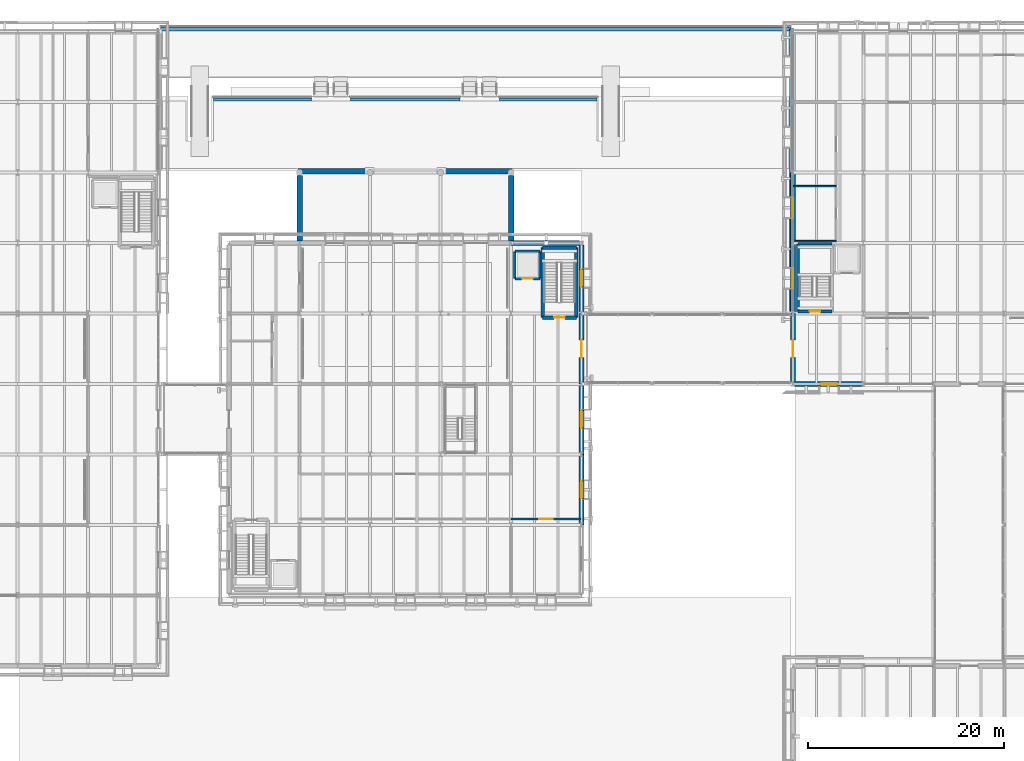
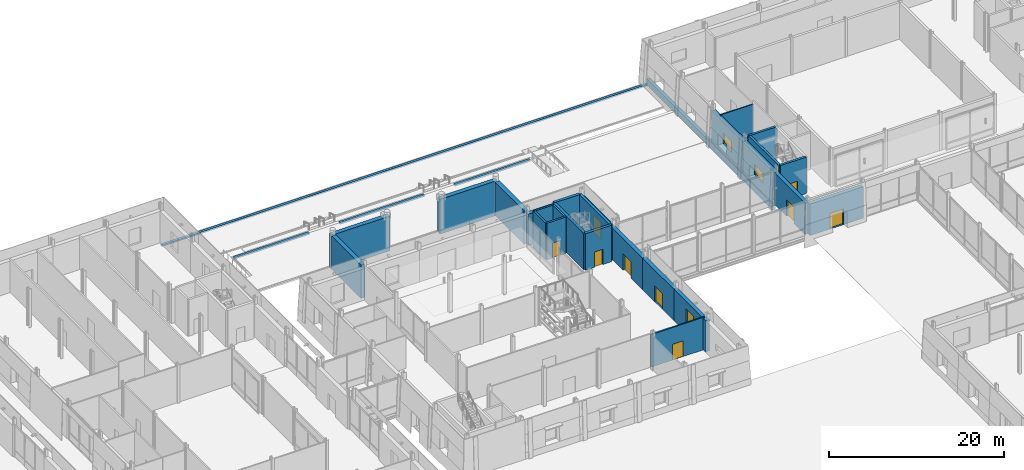
# One storey, part 77 of 120: 32 walls, 8 doors, 4 windows, 12 openings.
"""IFC4 building model written with IfcOpenShell, lengths in metres."""

from ifc_helpers import new_model, si_unit, direction, frame, frame_2d, origin, place, context, subcontext, project, spatial, rectangle, extrude, material, layer, layer_set, type_object, element, fill, save


model = new_model("IFC4")

# Units and contexts
model_context = context("Model", 3, precision=1e-05, world=origin(), true_north=direction((0.0, 1.0)))
body_context = subcontext(model_context, "Body", "Model", "MODEL_VIEW")
ifc_project = project(units=[si_unit("LENGTHUNIT", "METRE"), si_unit("AREAUNIT", "SQUARE_METRE"), si_unit("VOLUMEUNIT", "CUBIC_METRE"), si_unit("PLANEANGLEUNIT", "RADIAN"), si_unit("MASSUNIT", "GRAM", prefix="KILO")], contexts=[model_context])

# Site, building, storey
site_placement = place(None, origin())
site = spatial("IfcSite", under=ifc_project, at=site_placement, CompositionType="ELEMENT")
building_placement = place(site_placement, origin())
building = spatial("IfcBuilding", under=site, at=building_placement, Name="Narikvali Park Central Library", CompositionType="ELEMENT")
storey_placement = place(building_placement, origin())
storey = spatial("IfcBuildingStorey", under=building, at=storey_placement, Name="L00", CompositionType="ELEMENT", Elevation=0.0)

# Walls
ifc_material_1 = material(Name="White Rusticated Limestone over Concrete C35/45", Category="masonry")
ifc_layer_1 = layer(ifc_material_1, 0.340087890625, Name="White Rusticated Limestone over Concrete C35/45")
ifc_layer_set_1 = layer_set([ifc_layer_1], Name="White Rusticated Limestone over Concrete C35/45")
wall_type_1 = type_object("IfcWallType", Name="Forecourt Stepped Stone Plinth Wall 340", PredefinedType="SOLIDWALL", material=ifc_layer_set_1)
wall_1_placement = place(storey_placement, frame((57.800048828125, 115.449951171875, -0.905029296875), z_axis=(0.0, 0.0, 1.0), x_axis=(1.0, 0.0, 0.0)))
element("IfcWall", 1, at=wall_1_placement, inside=storey, type_object=wall_type_1, Name="Forecourt Stone Plinth Wall FC-PLINTH-N", PredefinedType="SOLIDWALL", context=body_context, shape_type="SweptSolid", body=[
    extrude(rectangle(XDim=64.39990234375, YDim=0.340087890625, at=frame_2d((32.199951171875, 0.0))), origin(), (0.0, 0.0, 1.0), 0.22509765625),
])
wall_2_placement = place(storey_placement, frame((63.199951171875, 108.25, -0.219970703125), z_axis=(0.0, 0.0, 1.0), x_axis=(1.0, 0.0, 0.0)))
element("IfcWall", 2, at=wall_2_placement, inside=storey, type_object=wall_type_1, Name="Forecourt Stone Plinth Wall FC-PLINTH-S1", PredefinedType="SOLIDWALL", context=body_context, shape_type="SweptSolid", body=[
    extrude(rectangle(XDim=10.0, YDim=0.340087890625, at=frame_2d((5.0, 0.0))), origin(), (0.0, 0.0, 1.0), 0.219970703125),
])
wall_3_placement = place(storey_placement, frame((77.199951171875, 108.25, -0.219970703125), z_axis=(0.0, 0.0, 1.0), x_axis=(1.0, 0.0, 0.0)))
element("IfcWall", 3, at=wall_3_placement, inside=storey, type_object=wall_type_1, Name="Forecourt Stone Plinth Wall FC-PLINTH-S2", PredefinedType="SOLIDWALL", context=body_context, shape_type="SweptSolid", body=[
    extrude(rectangle(XDim=11.199951171875, YDim=0.340087890625, at=frame_2d((5.60009765625, 0.0))), origin(), (0.0, 0.0, 1.0), 0.219970703125),
])
wall_4_placement = place(storey_placement, frame((92.39990234375, 108.25, -0.219970703125), z_axis=(0.0, 0.0, 1.0), x_axis=(1.0, 0.0, 0.0)))
element("IfcWall", 4, at=wall_4_placement, inside=storey, type_object=wall_type_1, Name="Forecourt Stone Plinth Wall FC-PLINTH-S3", PredefinedType="SOLIDWALL", context=body_context, shape_type="SweptSolid", body=[
    extrude(rectangle(XDim=10.0, YDim=0.340087890625, at=frame_2d((5.0, 0.0))), origin(), (0.0, 0.0, 1.0), 0.219970703125),
])
wall_5_placement = place(storey_placement, frame((122.199951171875, 86.60009765625, -0.905029296875), z_axis=(0.0, 0.0, 1.0), x_axis=(0.0, 1.0, 0.0)))
element("IfcWall", 5, at=wall_5_placement, inside=storey, type_object=wall_type_1, Name="Forecourt Stone Plinth Wall FC-PLINTH-E", PredefinedType="SOLIDWALL", context=body_context, shape_type="SweptSolid", body=[
    extrude(rectangle(XDim=28.849853515625, YDim=0.340087890625, at=frame_2d((14.4248046875, 0.0))), origin(), (0.0, 0.0, 1.0), 0.905029296875),
])
ifc_material_2 = material(Name="Kiln-Fired Terracotta Red Brick Masonry", Category="masonry")
ifc_layer_2 = layer(ifc_material_2, 0.56005859375, Name="Kiln-Fired Terracotta Red Brick Masonry")
ifc_layer_set_2 = layer_set([ifc_layer_2], Name="Kiln-Fired Terracotta Red Brick Masonry")
wall_type_2 = type_object("IfcWallType", Name="Kiln-Fired Red Brick Entrance Arch Wall 560", PredefinedType="SOLIDWALL", material=ifc_layer_set_2)
for number, where, z_axis, x_axis, name in (
    (6, (72.0, 93.820068359375, 0.0), (0.0, 0.0, 1.0), (0.0, 1.0, 0.0), "Entrance Portal West Red Brick Side Wall L00"),
    (7, (93.60009765625, 93.820068359375, 0.0), (0.0, 0.0, 1.0), (0.0, 1.0, 0.0), "Entrance Portal East Red Brick Side Wall L00"),
):
    element("IfcWall", number, at=place(storey_placement, frame(where, z_axis=z_axis, x_axis=x_axis)), inside=storey, type_object=wall_type_2, Name=name, PredefinedType="SOLIDWALL", context=body_context, shape_type="SweptSolid", body=[
        extrude(rectangle(XDim=6.699951171875, YDim=0.56005859375, at=frame_2d((3.35009765625, 0.0))), origin(), (0.0, 0.0, 1.0), 4.64990234375),
    ])
for number, where, z_axis, x_axis, name in (
    (8, (71.85009765625, 100.93994140625, -0.199951171875), (0.0, 0.0, 1.0), (1.0, 0.0, 0.0), "Entrance Portal W Lower Red Brick Pylon"),
    (9, (86.1201171875, 100.93994140625, -0.199951171875), (0.0, 0.0, 1.0), (1.0, 0.0, 0.0), "Entrance Portal E Lower Red Brick Pylon"),
):
    element("IfcWall", number, at=place(storey_placement, frame(where, z_axis=z_axis, x_axis=x_axis)), inside=storey, type_object=wall_type_2, Name=name, PredefinedType="SOLIDWALL", context=body_context, shape_type="SweptSolid", body=[
        extrude(rectangle(XDim=7.6298828125, YDim=0.56005859375, at=frame_2d((3.81494140625, 0.0))), origin(), (0.0, 0.0, 1.0), 4.849853515625),
    ])
ifc_material_3 = material(Name="Moisture-Resistant Cement Board on Steel Studs", Category="steel")
ifc_layer_3 = layer(ifc_material_3, 0.14990234375, Name="Moisture-Resistant Cement Board on Steel Studs")
ifc_layer_set_3 = layer_set([ifc_layer_3], Name="Moisture-Resistant Cement Board on Steel Studs")
wall_type_3 = type_object("IfcWallType", Name="Moisture-Resistant WC Partition 150", PredefinedType="PARTITIONING", material=ifc_layer_set_3)
wall_6_placement = place(storey_placement, frame((122.553955078125, 93.800048828125, 0.0), z_axis=(0.0, 0.0, 1.0), x_axis=(1.0, 0.0, 0.0)))
element("IfcWall", 10, at=wall_6_placement, inside=storey, type_object=wall_type_3, Name="Cloister Foyer Restrooms and Accessible WC L00 Partition S", PredefinedType="PARTITIONING", context=body_context, shape_type="SweptSolid", body=[
    extrude(rectangle(XDim=4.24609375, YDim=0.14990234375, at=frame_2d((2.123046875, 0.0))), origin(), (0.0, 0.0, 1.0), 4.614990234375),
])
wall_7_placement = place(storey_placement, frame((122.455078125, 99.39990234375, 0.0), z_axis=(0.0, 0.0, 1.0), x_axis=(1.0, 0.0, 0.0)))
element("IfcWall", 11, at=wall_7_placement, inside=storey, type_object=wall_type_3, Name="Cloister Foyer Restrooms and Accessible WC L00 Partition N", PredefinedType="PARTITIONING", context=body_context, shape_type="SweptSolid", body=[
    extrude(rectangle(XDim=4.344970703125, YDim=0.14990234375, at=frame_2d((2.17236328125, 0.0))), origin(), (0.0, 0.0, 1.0), 4.554931640625),
])

# Wall, opening, door
ifc_material_4 = material(Name="Acoustic Gypsum on Steel Studs", Category="steel")
ifc_layer_4 = layer(ifc_material_4, 0.179931640625, Name="Acoustic Gypsum on Steel Studs")
ifc_layer_set_4 = layer_set([ifc_layer_4], Name="Acoustic Gypsum on Steel Studs")
wall_type_4 = type_object("IfcWallType", Name="Reading Room Acoustic Partition 180", PredefinedType="PARTITIONING", material=ifc_layer_set_4)
wall_8_placement = place(storey_placement, frame((93.60009765625, 65.39990234375, 0.0), z_axis=(0.0, 0.0, 1.0), x_axis=(1.0, 0.0, 0.0)))
wall_8 = element("IfcWall", 12, at=wall_8_placement, inside=storey, type_object=wall_type_4, Name="Library Civic Bookshop Partition N", PredefinedType="PARTITIONING", context=body_context, shape_type="SweptSolid", body=[
    extrude(rectangle(XDim=7.14501953125, YDim=0.179931640625, at=frame_2d((3.572509765625, 0.0))), origin(), (0.0, 0.0, 1.0), 4.554931640625),
])
opening_1_placement = place(wall_8_placement, frame((2.87255859375, 0.0, 0.0)))
opening_1 = element("IfcOpeningElement", 13, at=opening_1_placement, cuts=wall_8, Name="Opening ID-0036", PredefinedType="OPENING", context=body_context, shape_type="SweptSolid", body=[
    extrude(rectangle(XDim=1.39990234375, YDim=2.199951171875, at=frame_2d((0.699951171875, 1.10009765625))), frame((0.0, 0.10205078125, 0.0), z_axis=(0.0, -1.0, 0.0), x_axis=(1.0, 0.0, 0.0)), (0.0, 0.0, 1.0), 0.203857421875),
])
ifc_material_5 = material(Name="Caucasian Oak and Acoustic Glass", Category="glass")
door_type_1 = type_object("IfcDoorType", Name="Community Room Glazed Oak Door 1400x2200", OperationType="DOUBLE_DOOR_SINGLE_SWING", PredefinedType="DOOR", material=ifc_material_5)
door_1_placement = place(opening_1_placement, frame((1.39990234375, 0.0, 0.0), z_axis=(0.0, 0.0, 1.0), x_axis=(-1.0, 0.0, 0.0)))
door_1 = element("IfcDoor", 14, at=door_1_placement, inside=storey, type_object=door_type_1, Name="Library Civic Bookshop Door ID-0036", OperationType="DOUBLE_DOOR_SINGLE_SWING", OverallHeight=2.199951171875, OverallWidth=1.39990234375, PredefinedType="DOOR", context=body_context, shape_type="SweptSolid", body=[
    extrude(rectangle(XDim=1.39990234375, YDim=2.199951171875, at=frame_2d((0.699951171875, 1.10009765625))), frame((0.0, 0.02490234375, 0.0), z_axis=(0.0, -1.0, 0.0), x_axis=(1.0, 0.0, 0.0)), (0.0, 0.0, 1.0), 0.050048828125),
])
fill(opening_1, door_1)

ifc_material_6 = material(Name="Concrete C40/50", Category="concrete")
ifc_layer_5 = layer(ifc_material_6, 0.35009765625, Name="Concrete C40/50")
ifc_layer_set_5 = layer_set([ifc_layer_5], Name="Concrete C40/50")
wall_type_5 = type_object("IfcWallType", Name="Reinforced Concrete Core Shear Wall 350", PredefinedType="SHEAR", material=ifc_layer_set_5)
wall_9_placement = place(storey_placement, frame((96.830078125, 85.97998046875, 0.0), z_axis=(0.0, 0.0, 1.0), x_axis=(1.0, 0.0, 0.0)))
wall_9 = element("IfcWall", 15, at=wall_9_placement, inside=storey, type_object=wall_type_5, Name="C1B L00 Stair Core Shear Wall S", PredefinedType="SHEAR", context=body_context, shape_type="SweptSolid", body=[
    extrude(rectangle(XDim=3.43994140625, YDim=0.35009765625, at=frame_2d((1.719970703125, 0.0))), origin(), (0.0, 0.0, 1.0), 5.1201171875),
])
opening_2_placement = place(wall_9_placement, frame((1.169921875, 0.0, 0.0)))
opening_2 = element("IfcOpeningElement", 16, at=opening_2_placement, cuts=wall_9, Name="Opening SD-007", PredefinedType="OPENING", context=body_context, shape_type="SweptSolid", body=[
    extrude(rectangle(XDim=1.10009765625, YDim=2.14990234375, at=frame_2d((0.550048828125, 1.074951171875))), frame((0.0, 0.18701171875, 0.0), z_axis=(0.0, -1.0, 0.0), x_axis=(1.0, 0.0, 0.0)), (0.0, 0.0, 1.0), 0.3740234375),
])
ifc_material_7 = material(Name="Powder-Coated Steel S275 Fire Leaf", Category="steel")
door_type_2 = type_object("IfcDoorType", Name="Stair Core Smoke-Control Fire Door 1100x2150", OperationType="SINGLE_SWING_LEFT", PredefinedType="DOOR", material=ifc_material_7)
door_2_placement = place(opening_2_placement, frame((1.10009765625, 0.0, 0.0), z_axis=(0.0, 0.0, 1.0), x_axis=(-1.0, 0.0, 0.0)))
door_2 = element("IfcDoor", 17, at=door_2_placement, inside=storey, type_object=door_type_2, Name="ST-02 L00 Stair Exit Door SD-007", OperationType="SINGLE_SWING_LEFT", OverallHeight=2.14990234375, OverallWidth=1.10009765625, PredefinedType="DOOR", context=body_context, shape_type="SweptSolid", body=[
    extrude(rectangle(XDim=1.10009765625, YDim=2.14990234375, at=frame_2d((0.550048828125, 1.074951171875))), frame((0.0, 0.02490234375, 0.0), z_axis=(0.0, -1.0, 0.0), x_axis=(1.0, 0.0, 0.0)), (0.0, 0.0, 1.0), 0.050048828125),
])
fill(opening_2, door_2)

# Walls
wall_10_placement = place(storey_placement, frame((100.27001953125, 85.97998046875, 0.0), z_axis=(0.0, 0.0, 1.0), x_axis=(0.0, 1.0, 0.0)))
element("IfcWall", 18, at=wall_10_placement, inside=storey, type_object=wall_type_5, Name="C1B L00 Stair Core Shear Wall E", PredefinedType="SHEAR", context=body_context, shape_type="SweptSolid", body=[
    extrude(rectangle(XDim=7.14013671875, YDim=0.35009765625, at=frame_2d((3.570068359375, 0.0))), origin(), (0.0, 0.0, 1.0), 5.1201171875),
])
wall_11_placement = place(storey_placement, frame((100.27001953125, 93.1201171875, 0.0), z_axis=(0.0, 0.0, 1.0), x_axis=(-1.0, 0.0, 0.0)))
element("IfcWall", 19, at=wall_11_placement, inside=storey, type_object=wall_type_5, Name="C1B L00 Stair Core Shear Wall N", PredefinedType="SHEAR", context=body_context, shape_type="SweptSolid", body=[
    extrude(rectangle(XDim=3.43994140625, YDim=0.35009765625, at=frame_2d((1.719970703125, 0.0))), origin(), (0.0, 0.0, 1.0), 5.1201171875),
])
wall_12_placement = place(storey_placement, frame((96.830078125, 93.1201171875, 0.0), z_axis=(0.0, 0.0, 1.0), x_axis=(0.0, -1.0, 0.0)))
element("IfcWall", 20, at=wall_12_placement, inside=storey, type_object=wall_type_5, Name="C1B L00 Stair Core Shear Wall W", PredefinedType="SHEAR", context=body_context, shape_type="SweptSolid", body=[
    extrude(rectangle(XDim=7.14013671875, YDim=0.35009765625, at=frame_2d((3.570068359375, 0.0))), origin(), (0.0, 0.0, 1.0), 5.1201171875),
])

# Wall, opening, door
ifc_layer_6 = layer(ifc_material_6, 0.25, Name="Concrete C40/50")
ifc_layer_set_6 = layer_set([ifc_layer_6], Name="Concrete C40/50")
wall_type_6 = type_object("IfcWallType", Name="Reinforced Concrete Lift Shaft Wall 250", PredefinedType="SHEAR", material=ifc_layer_set_6)
wall_13_placement = place(storey_placement, frame((94.0, 89.949951171875, 0.0), z_axis=(0.0, 0.0, 1.0), x_axis=(1.0, 0.0, 0.0)))
wall_13 = element("IfcWall", 21, at=wall_13_placement, inside=storey, type_object=wall_type_6, Name="L-02 L00 Lift Shaft Wall S", PredefinedType="SHEAR", context=body_context, shape_type="SweptSolid", body=[
    extrude(rectangle(XDim=2.550048828125, YDim=0.25, at=frame_2d((1.27490234375, 0.0))), origin(), (0.0, 0.0, 1.0), 5.1201171875),
])
opening_3_placement = place(wall_13_placement, frame((0.72509765625, 0.0, 0.0)))
opening_3 = element("IfcOpeningElement", 22, at=opening_3_placement, cuts=wall_13, Name="Opening LD-007", PredefinedType="OPENING", context=body_context, shape_type="SweptSolid", body=[
    extrude(rectangle(XDim=1.10009765625, YDim=2.10009765625, at=frame_2d((0.550048828125, 1.050048828125))), frame((0.0, 0.136962890625, 0.0), z_axis=(0.0, -1.0, 0.0), x_axis=(1.0, 0.0, 0.0)), (0.0, 0.0, 1.0), 0.27392578125),
])
ifc_material_8 = material(Name="Brushed Stainless Steel S355", Category="steel")
door_type_3 = type_object("IfcDoorType", Name="Passenger Lift Sliding Landing Door 1100x2100", OperationType="SLIDING_TO_LEFT", PredefinedType="DOOR", material=ifc_material_8)
door_3_placement = place(opening_3_placement, origin())
door_3 = element("IfcDoor", 23, at=door_3_placement, inside=storey, type_object=door_type_3, Name="L-02 L00 Lift Landing Sliding Door LD-007", OperationType="SLIDING_TO_LEFT", OverallHeight=2.10009765625, OverallWidth=1.10009765625, PredefinedType="DOOR", context=body_context, shape_type="SweptSolid", body=[
    extrude(rectangle(XDim=1.10009765625, YDim=2.10009765625, at=frame_2d((0.550048828125, 1.050048828125))), frame((0.0, 0.02490234375, 0.0), z_axis=(0.0, -1.0, 0.0), x_axis=(1.0, 0.0, 0.0)), (0.0, 0.0, 1.0), 0.050048828125),
])
fill(opening_3, door_3)

# Walls
wall_14_placement = place(storey_placement, frame((96.550048828125, 89.949951171875, 0.0), z_axis=(0.0, 0.0, 1.0), x_axis=(0.0, 1.0, 0.0)))
element("IfcWall", 24, at=wall_14_placement, inside=storey, type_object=wall_type_6, Name="L-02 L00 Lift Shaft Wall E", PredefinedType="SHEAR", context=body_context, shape_type="SweptSolid", body=[
    extrude(rectangle(XDim=2.800048828125, YDim=0.25, at=frame_2d((1.39990234375, 0.0))), origin(), (0.0, 0.0, 1.0), 5.1201171875),
])
wall_15_placement = place(storey_placement, frame((96.550048828125, 92.75, 0.0), z_axis=(0.0, 0.0, 1.0), x_axis=(-1.0, 0.0, 0.0)))
element("IfcWall", 25, at=wall_15_placement, inside=storey, type_object=wall_type_6, Name="L-02 L00 Lift Shaft Wall N", PredefinedType="SHEAR", context=body_context, shape_type="SweptSolid", body=[
    extrude(rectangle(XDim=2.550048828125, YDim=0.25, at=frame_2d((1.27490234375, 0.0))), origin(), (0.0, 0.0, 1.0), 5.1201171875),
])
wall_16_placement = place(storey_placement, frame((94.0, 92.75, 0.0), z_axis=(0.0, 0.0, 1.0), x_axis=(0.0, -1.0, 0.0)))
element("IfcWall", 26, at=wall_16_placement, inside=storey, type_object=wall_type_6, Name="L-02 L00 Lift Shaft Wall W", PredefinedType="SHEAR", context=body_context, shape_type="SweptSolid", body=[
    extrude(rectangle(XDim=2.800048828125, YDim=0.25, at=frame_2d((1.39990234375, 0.0))), origin(), (0.0, 0.0, 1.0), 5.1201171875),
])

# Wall, opening, door
ifc_layer_7 = layer(ifc_material_6, 0.300048828125, Name="Concrete C40/50")
ifc_layer_set_7 = layer_set([ifc_layer_7], Name="Concrete C40/50")
wall_type_7 = type_object("IfcWallType", Name="Reinforced Concrete Shear Wall 300", PredefinedType="SHEAR", material=ifc_layer_set_7)
wall_17_placement = place(storey_placement, frame((122.929931640625, 86.580078125, 0.0), z_axis=(0.0, 0.0, 1.0), x_axis=(1.0, 0.0, 0.0)))
wall_17 = element("IfcWall", 27, at=wall_17_placement, inside=storey, type_object=wall_type_7, Name="C3A L00 Stair Core Shear Wall S", PredefinedType="SHEAR", context=body_context, shape_type="SweptSolid", body=[
    extrude(rectangle(XDim=3.440185546875, YDim=0.300048828125, at=frame_2d((1.72021484375, 0.0))), origin(), (0.0, 0.0, 1.0), 5.1201171875),
])
opening_4_placement = place(wall_17_placement, frame((1.169921875, 0.0, 0.0)))
opening_4 = element("IfcOpeningElement", 28, at=opening_4_placement, cuts=wall_17, Name="Opening SD-017", PredefinedType="OPENING", context=body_context, shape_type="SweptSolid", body=[
    extrude(rectangle(XDim=1.10009765625, YDim=2.14990234375, at=frame_2d((0.550048828125, 1.074951171875))), frame((0.0, 0.162109375, 0.0), z_axis=(0.0, -1.0, 0.0), x_axis=(1.0, 0.0, 0.0)), (0.0, 0.0, 1.0), 0.323974609375),
])
door_4_placement = place(opening_4_placement, frame((1.10009765625, 0.0, 0.0), z_axis=(0.0, 0.0, 1.0), x_axis=(-1.0, 0.0, 0.0)))
door_4 = element("IfcDoor", 29, at=door_4_placement, inside=storey, type_object=door_type_2, Name="ST-05 L00 Stair Exit Door SD-017", OperationType="SINGLE_SWING_LEFT", OverallHeight=2.14990234375, OverallWidth=1.10009765625, PredefinedType="DOOR", context=body_context, shape_type="SweptSolid", body=[
    extrude(rectangle(XDim=1.10009765625, YDim=2.14990234375, at=frame_2d((0.550048828125, 1.074951171875))), frame((0.0, 0.02490234375, 0.0), z_axis=(0.0, -1.0, 0.0), x_axis=(1.0, 0.0, 0.0)), (0.0, 0.0, 1.0), 0.050048828125),
])
fill(opening_4, door_4)

# Walls
wall_18_placement = place(storey_placement, frame((126.3701171875, 93.52001953125, 0.0), z_axis=(0.0, 0.0, 1.0), x_axis=(-1.0, 0.0, 0.0)))
element("IfcWall", 30, at=wall_18_placement, inside=storey, type_object=wall_type_7, Name="C3A L00 Stair Core Shear Wall N", PredefinedType="SHEAR", context=body_context, shape_type="SweptSolid", body=[
    extrude(rectangle(XDim=3.440185546875, YDim=0.300048828125, at=frame_2d((1.72021484375, 0.0))), origin(), (0.0, 0.0, 1.0), 5.1201171875),
])
wall_19_placement = place(storey_placement, frame((122.929931640625, 93.52001953125, 0.0), z_axis=(0.0, 0.0, 1.0), x_axis=(0.0, -1.0, 0.0)))
element("IfcWall", 31, at=wall_19_placement, inside=storey, type_object=wall_type_7, Name="C3A L00 Stair Core Shear Wall W", PredefinedType="SHEAR", context=body_context, shape_type="SweptSolid", body=[
    extrude(rectangle(XDim=6.93994140625, YDim=0.300048828125, at=frame_2d((3.469970703125, 0.0))), origin(), (0.0, 0.0, 1.0), 5.1201171875),
])

# Wall, opening, window
ifc_layer_8 = layer(ifc_material_1, 0.52001953125, Name="White Rusticated Limestone over Concrete C35/45")
ifc_layer_set_8 = layer_set([ifc_layer_8], Name="White Rusticated Limestone over Concrete C35/45")
wall_type_8 = type_object("IfcWallType", Name="White Limestone Ashlar Plinth Wall 520", PredefinedType="SOLIDWALL", material=ifc_layer_set_8)
wall_20_placement = place(storey_placement, frame((100.800048828125, 64.800048828125, 0.0), z_axis=(0.0, 0.0, 1.0), x_axis=(0.0, 1.0, 0.0)))
wall_20 = element("IfcWall", 32, at=wall_20_placement, inside=storey, type_object=wall_type_8, Name="V1 L00 E Exterior Limestone Wall B02", PredefinedType="SOLIDWALL", context=body_context, shape_type="SweptSolid", body=[
    extrude(rectangle(XDim=7.199951171875, YDim=0.52001953125, at=frame_2d((3.60009765625, 0.0))), origin(), (0.0, 0.0, 1.0), 4.39990234375),
])
opening_5_placement = place(wall_20_placement, frame((2.699951171875, 0.0, 0.89990234375)))
opening_5 = element("IfcOpeningElement", 33, at=opening_5_placement, cuts=wall_20, Name="Opening WIN-0005", PredefinedType="OPENING", context=body_context, shape_type="SweptSolid", body=[
    extrude(rectangle(XDim=1.800048828125, YDim=2.449951171875, at=frame_2d((0.89990234375, 1.22509765625))), frame((0.0, 0.27197265625, 0.0), z_axis=(0.0, -1.0, 0.0), x_axis=(1.0, 0.0, 0.0)), (0.0, 0.0, 1.0), 0.5439453125),
])
ifc_material_9 = material(Name="Anodised Bronze Aluminium and Low-E Triple Glazing", Category="aluminium")
window_type_1 = type_object("IfcWindowType", Name="Rotunda Piano Nobile Tall Classical Window 1800x2450", PartitioningType="DOUBLE_PANEL_VERTICAL", PredefinedType="WINDOW", material=ifc_material_9)
window_1_placement = place(opening_5_placement, origin())
window_1 = element("IfcWindow", 34, at=window_1_placement, inside=storey, type_object=window_type_1, Name="V1 L00 E Deep-Reveal Window WIN-0005", OverallHeight=2.449951171875, OverallWidth=1.800048828125, PartitioningType="SINGLE_PANEL", PredefinedType="WINDOW", context=body_context, shape_type="SweptSolid", body=[
    extrude(rectangle(XDim=1.800048828125, YDim=2.449951171875, at=frame_2d((0.89990234375, 1.22509765625))), frame((0.0, 0.030029296875, 0.0), z_axis=(0.0, -1.0, 0.0), x_axis=(1.0, 0.0, 0.0)), (0.0, 0.0, 1.0), 0.06005859375),
])
fill(opening_5, window_1)

# Wall, opening, door
wall_21_placement = place(storey_placement, frame((100.800048828125, 72.0, 0.0), z_axis=(0.0, 0.0, 1.0), x_axis=(0.0, 1.0, 0.0)))
wall_21 = element("IfcWall", 35, at=wall_21_placement, inside=storey, type_object=wall_type_8, Name="V1 L00 E Exterior Limestone Wall B03", PredefinedType="SOLIDWALL", context=body_context, shape_type="SweptSolid", body=[
    extrude(rectangle(XDim=7.199951171875, YDim=0.52001953125, at=frame_2d((3.60009765625, 0.0))), origin(), (0.0, 0.0, 1.0), 4.39990234375),
])
opening_6_placement = place(wall_21_placement, frame((2.699951171875, 0.0, 0.0)))
opening_6 = element("IfcOpeningElement", 36, at=opening_6_placement, cuts=wall_21, Name="Opening ED-001", PredefinedType="OPENING", context=body_context, shape_type="SweptSolid", body=[
    extrude(rectangle(XDim=1.800048828125, YDim=2.199951171875, at=frame_2d((0.89990234375, 1.10009765625))), frame((0.0, 0.27197265625, 0.0), z_axis=(0.0, -1.0, 0.0), x_axis=(1.0, 0.0, 0.0)), (0.0, 0.0, 1.0), 0.5439453125),
])
ifc_material_10 = material(Name="Powder-Coated Galvanised Steel S275", Category="steel")
door_type_4 = type_object("IfcDoorType", Name="Exterior Final Exit Double Fire Door 1800x2200", OperationType="DOUBLE_DOOR_SINGLE_SWING", PredefinedType="DOOR", material=ifc_material_10)
door_5_placement = place(opening_6_placement, frame((1.800048828125, 0.0, 0.0), z_axis=(0.0, 0.0, 1.0), x_axis=(-1.0, 0.0, 0.0)))
door_5 = element("IfcDoor", 37, at=door_5_placement, inside=storey, type_object=door_type_4, Name="V1 Ground Final Exit Discharge Door ED-001", OperationType="DOUBLE_DOOR_SINGLE_SWING", OverallHeight=2.199951171875, OverallWidth=1.800048828125, PredefinedType="DOOR", context=body_context, shape_type="SweptSolid", body=[
    extrude(rectangle(XDim=1.800048828125, YDim=2.199951171875, at=frame_2d((0.89990234375, 1.10009765625))), frame((0.0, 0.02490234375, 0.0), z_axis=(0.0, -1.0, 0.0), x_axis=(1.0, 0.0, 0.0)), (0.0, 0.0, 1.0), 0.050048828125),
])
fill(opening_6, door_5)

wall_22_placement = place(storey_placement, frame((100.800048828125, 79.199951171875, 0.0), z_axis=(0.0, 0.0, 1.0), x_axis=(0.0, 1.0, 0.0)))
wall_22 = element("IfcWall", 38, at=wall_22_placement, inside=storey, type_object=wall_type_8, Name="V1 L00 E Exterior Limestone Wall B04", PredefinedType="SOLIDWALL", context=body_context, shape_type="SweptSolid", body=[
    extrude(rectangle(XDim=7.199951171875, YDim=0.52001953125, at=frame_2d((3.60009765625, 0.0))), origin(), (0.0, 0.0, 1.0), 4.39990234375),
])
opening_7_placement = place(wall_22_placement, frame((2.699951171875, 0.0, 0.0)))
opening_7 = element("IfcOpeningElement", 39, at=opening_7_placement, cuts=wall_22, Name="Opening BD-002", PredefinedType="OPENING", context=body_context, shape_type="SweptSolid", body=[
    extrude(rectangle(XDim=1.800048828125, YDim=2.300048828125, at=frame_2d((0.89990234375, 1.14990234375))), frame((0.0, 0.27197265625, 0.0), z_axis=(0.0, -1.0, 0.0), x_axis=(1.0, 0.0, 0.0)), (0.0, 0.0, 1.0), 0.5439453125),
])
ifc_material_11 = material(Name="Fire-Rated Glazing in Steel S275 Frame", Category="steel")
door_type_5 = type_object("IfcDoorType", Name="Glazed Double Corridor Bridge Fire Door 1800x2300", OperationType="DOUBLE_DOOR_SINGLE_SWING", PredefinedType="DOOR", material=ifc_material_11)
door_6_placement = place(opening_7_placement, frame((1.800048828125, 0.0, 0.0), z_axis=(0.0, 0.0, 1.0), x_axis=(-1.0, 0.0, 0.0)))
door_6 = element("IfcDoor", 40, at=door_6_placement, inside=storey, type_object=door_type_5, Name="V1 L00 Covered Bridge Fire Door BD-002", OperationType="DOUBLE_DOOR_SINGLE_SWING", OverallHeight=2.300048828125, OverallWidth=1.800048828125, PredefinedType="DOOR", context=body_context, shape_type="SweptSolid", body=[
    extrude(rectangle(XDim=1.800048828125, YDim=2.300048828125, at=frame_2d((0.89990234375, 1.14990234375))), frame((0.0, 0.02490234375, 0.0), z_axis=(0.0, -1.0, 0.0), x_axis=(1.0, 0.0, 0.0)), (0.0, 0.0, 1.0), 0.050048828125),
])
fill(opening_7, door_6)

# Wall, opening, window
wall_23_placement = place(storey_placement, frame((100.800048828125, 86.39990234375, 0.0), z_axis=(0.0, 0.0, 1.0), x_axis=(0.0, 1.0, 0.0)))
wall_23 = element("IfcWall", 41, at=wall_23_placement, inside=storey, type_object=wall_type_8, Name="V1 L00 E Exterior Limestone Wall B05", PredefinedType="SOLIDWALL", context=body_context, shape_type="SweptSolid", body=[
    extrude(rectangle(XDim=6.99658203125, YDim=0.52001953125, at=frame_2d((3.498291015625, 0.0))), origin(), (0.0, 0.0, 1.0), 4.39990234375),
])
opening_8_placement = place(wall_23_placement, frame((2.699951171875, 0.0, 0.89990234375)))
opening_8 = element("IfcOpeningElement", 42, at=opening_8_placement, cuts=wall_23, Name="Opening WIN-0006", PredefinedType="OPENING", context=body_context, shape_type="SweptSolid", body=[
    extrude(rectangle(XDim=1.800048828125, YDim=2.449951171875, at=frame_2d((0.89990234375, 1.22509765625))), frame((0.0, 0.27197265625, 0.0), z_axis=(0.0, -1.0, 0.0), x_axis=(1.0, 0.0, 0.0)), (0.0, 0.0, 1.0), 0.5439453125),
])
window_2_placement = place(opening_8_placement, origin())
window_2 = element("IfcWindow", 43, at=window_2_placement, inside=storey, type_object=window_type_1, Name="V1 L00 E Deep-Reveal Window WIN-0006", OverallHeight=2.449951171875, OverallWidth=1.800048828125, PartitioningType="SINGLE_PANEL", PredefinedType="WINDOW", context=body_context, shape_type="SweptSolid", body=[
    extrude(rectangle(XDim=1.800048828125, YDim=2.449951171875, at=frame_2d((0.89990234375, 1.22509765625))), frame((0.0, 0.030029296875, 0.0), z_axis=(0.0, -1.0, 0.0), x_axis=(1.0, 0.0, 0.0)), (0.0, 0.0, 1.0), 0.06005859375),
])
fill(opening_8, window_2)

# Wall
wall_24_placement = place(storey_placement, frame((100.595458984375, 93.60009765625, 0.0), z_axis=(0.0, 0.0, 1.0), x_axis=(-1.0, 0.0, 0.0)))
element("IfcWall", 44, at=wall_24_placement, inside=storey, type_object=wall_type_8, Name="V1 L00 N Exterior Limestone Wall B01", PredefinedType="SOLIDWALL", context=body_context, shape_type="SweptSolid", body=[
    extrude(rectangle(XDim=6.995361328125, YDim=0.52001953125, at=frame_2d((3.49755859375, 0.0))), origin(), (0.0, 0.0, 1.0), 4.39990234375),
])

# Wall, opening, door
wall_25_placement = place(storey_placement, frame((122.553955078125, 79.199951171875, 0.0), z_axis=(0.0, 0.0, 1.0), x_axis=(1.0, 0.0, 0.0)))
wall_25 = element("IfcWall", 45, at=wall_25_placement, inside=storey, type_object=wall_type_8, Name="V3 L00 S Exterior Limestone Wall B01", PredefinedType="SOLIDWALL", context=body_context, shape_type="SweptSolid", body=[
    extrude(rectangle(XDim=7.046142578125, YDim=0.52001953125, at=frame_2d((3.52294921875, 0.0))), origin(), (0.0, 0.0, 1.0), 4.39990234375),
])
opening_9_placement = place(wall_25_placement, frame((2.623046875, 0.0, 0.0)))
opening_9 = element("IfcOpeningElement", 46, at=opening_9_placement, cuts=wall_25, Name="Opening ED-018", PredefinedType="OPENING", context=body_context, shape_type="SweptSolid", body=[
    extrude(rectangle(XDim=1.800048828125, YDim=2.199951171875, at=frame_2d((0.89990234375, 1.10009765625))), frame((0.0, 0.27197265625, 0.0), z_axis=(0.0, -1.0, 0.0), x_axis=(1.0, 0.0, 0.0)), (0.0, 0.0, 1.0), 0.5439453125),
])
door_7_placement = place(opening_9_placement, frame((1.800048828125, 0.0, 0.0), z_axis=(0.0, 0.0, 1.0), x_axis=(-1.0, 0.0, 0.0)))
door_7 = element("IfcDoor", 47, at=door_7_placement, inside=storey, type_object=door_type_4, Name="V3 Ground Final Exit Discharge Door ED-018", OperationType="DOUBLE_DOOR_SINGLE_SWING", OverallHeight=2.199951171875, OverallWidth=1.800048828125, PredefinedType="DOOR", context=body_context, shape_type="SweptSolid", body=[
    extrude(rectangle(XDim=1.800048828125, YDim=2.199951171875, at=frame_2d((0.89990234375, 1.10009765625))), frame((0.0, 0.02490234375, 0.0), z_axis=(0.0, -1.0, 0.0), x_axis=(1.0, 0.0, 0.0)), (0.0, 0.0, 1.0), 0.050048828125),
])
fill(opening_9, door_7)

# Wall, opening, window
wall_26_placement = place(storey_placement, frame((122.39990234375, 100.800048828125, 0.0), z_axis=(0.0, 0.0, 1.0), x_axis=(0.0, -1.0, 0.0)))
wall_26 = element("IfcWall", 48, at=wall_26_placement, inside=storey, type_object=wall_type_8, Name="V3 L00 W Exterior Limestone Wall B03", PredefinedType="SOLIDWALL", context=body_context, shape_type="SweptSolid", body=[
    extrude(rectangle(XDim=7.199951171875, YDim=0.52001953125, at=frame_2d((3.60009765625, 0.0))), origin(), (0.0, 0.0, 1.0), 4.39990234375),
])
opening_10_placement = place(wall_26_placement, frame((2.60009765625, 0.0, 1.35009765625)))
opening_10 = element("IfcOpeningElement", 49, at=opening_10_placement, cuts=wall_26, Name="Opening WIN-0086", PredefinedType="OPENING", context=body_context, shape_type="SweptSolid", body=[
    extrude(rectangle(XDim=2.0, YDim=1.5, at=frame_2d((1.0, 0.75))), frame((0.0, 0.27197265625, 0.0), z_axis=(0.0, -1.0, 0.0), x_axis=(1.0, 0.0, 0.0)), (0.0, 0.0, 1.0), 0.5439453125),
])
window_type_2 = type_object("IfcWindowType", Name="Auditorium Acoustic Clerestory Window 2000x1500", PartitioningType="DOUBLE_PANEL_HORIZONTAL", PredefinedType="WINDOW", material=ifc_material_9)
window_3_placement = place(opening_10_placement, origin())
window_3 = element("IfcWindow", 50, at=window_3_placement, inside=storey, type_object=window_type_2, Name="V3 L00 W Deep-Reveal Window WIN-0086", OverallHeight=1.5, OverallWidth=2.0, PartitioningType="SINGLE_PANEL", PredefinedType="WINDOW", context=body_context, shape_type="SweptSolid", body=[
    extrude(rectangle(XDim=2.0, YDim=1.5, at=frame_2d((1.0, 0.75))), frame((0.0, 0.030029296875, 0.0), z_axis=(0.0, -1.0, 0.0), x_axis=(1.0, 0.0, 0.0)), (0.0, 0.0, 1.0), 0.06005859375),
])
fill(opening_10, window_3)

wall_27_placement = place(storey_placement, frame((122.39990234375, 93.60009765625, 0.0), z_axis=(0.0, 0.0, 1.0), x_axis=(0.0, -1.0, 0.0)))
wall_27 = element("IfcWall", 51, at=wall_27_placement, inside=storey, type_object=wall_type_8, Name="V3 L00 W Exterior Limestone Wall B04", PredefinedType="SOLIDWALL", context=body_context, shape_type="SweptSolid", body=[
    extrude(rectangle(XDim=7.2001953125, YDim=0.52001953125, at=frame_2d((3.60009765625, 0.0))), origin(), (0.0, 0.0, 1.0), 4.39990234375),
])
opening_11_placement = place(wall_27_placement, frame((2.60009765625, 0.0, 1.35009765625)))
opening_11 = element("IfcOpeningElement", 52, at=opening_11_placement, cuts=wall_27, Name="Opening WIN-0087", PredefinedType="OPENING", context=body_context, shape_type="SweptSolid", body=[
    extrude(rectangle(XDim=2.0, YDim=1.5, at=frame_2d((1.0, 0.75))), frame((0.0, 0.27197265625, 0.0), z_axis=(0.0, -1.0, 0.0), x_axis=(1.0, 0.0, 0.0)), (0.0, 0.0, 1.0), 0.5439453125),
])
window_4_placement = place(opening_11_placement, origin())
window_4 = element("IfcWindow", 53, at=window_4_placement, inside=storey, type_object=window_type_2, Name="V3 L00 W Deep-Reveal Window WIN-0087", OverallHeight=1.5, OverallWidth=2.0, PartitioningType="SINGLE_PANEL", PredefinedType="WINDOW", context=body_context, shape_type="SweptSolid", body=[
    extrude(rectangle(XDim=2.0, YDim=1.5, at=frame_2d((1.0, 0.75))), frame((0.0, 0.030029296875, 0.0), z_axis=(0.0, -1.0, 0.0), x_axis=(1.0, 0.0, 0.0)), (0.0, 0.0, 1.0), 0.06005859375),
])
fill(opening_11, window_4)

# Wall, opening, door
wall_28_placement = place(storey_placement, frame((122.39990234375, 86.39990234375, 0.0), z_axis=(0.0, 0.0, 1.0), x_axis=(0.0, -1.0, 0.0)))
wall_28 = element("IfcWall", 54, at=wall_28_placement, inside=storey, type_object=wall_type_8, Name="V3 L00 W Exterior Limestone Wall B05", PredefinedType="SOLIDWALL", context=body_context, shape_type="SweptSolid", body=[
    extrude(rectangle(XDim=6.970947265625, YDim=0.52001953125, at=frame_2d((3.4853515625, 0.0))), origin(), (0.0, 0.0, 1.0), 4.39990234375),
])
opening_12_placement = place(wall_28_placement, frame((2.699951171875, 0.0, 0.0)))
opening_12 = element("IfcOpeningElement", 55, at=opening_12_placement, cuts=wall_28, Name="Opening BD-024", PredefinedType="OPENING", context=body_context, shape_type="SweptSolid", body=[
    extrude(rectangle(XDim=1.800048828125, YDim=2.300048828125, at=frame_2d((0.89990234375, 1.14990234375))), frame((0.0, 0.27197265625, 0.0), z_axis=(0.0, -1.0, 0.0), x_axis=(1.0, 0.0, 0.0)), (0.0, 0.0, 1.0), 0.5439453125),
])
door_8_placement = place(opening_12_placement, frame((1.800048828125, 0.0, 0.0), z_axis=(0.0, 0.0, 1.0), x_axis=(-1.0, 0.0, 0.0)))
door_8 = element("IfcDoor", 56, at=door_8_placement, inside=storey, type_object=door_type_5, Name="V3 L00 Covered Bridge Fire Door BD-024", OperationType="DOUBLE_DOOR_SINGLE_SWING", OverallHeight=2.300048828125, OverallWidth=1.800048828125, PredefinedType="DOOR", context=body_context, shape_type="SweptSolid", body=[
    extrude(rectangle(XDim=1.800048828125, YDim=2.300048828125, at=frame_2d((0.89990234375, 1.14990234375))), frame((0.0, 0.02490234375, 0.0), z_axis=(0.0, -1.0, 0.0), x_axis=(1.0, 0.0, 0.0)), (0.0, 0.0, 1.0), 0.050048828125),
])
fill(opening_12, door_8)

save(model, "model.ifc")
